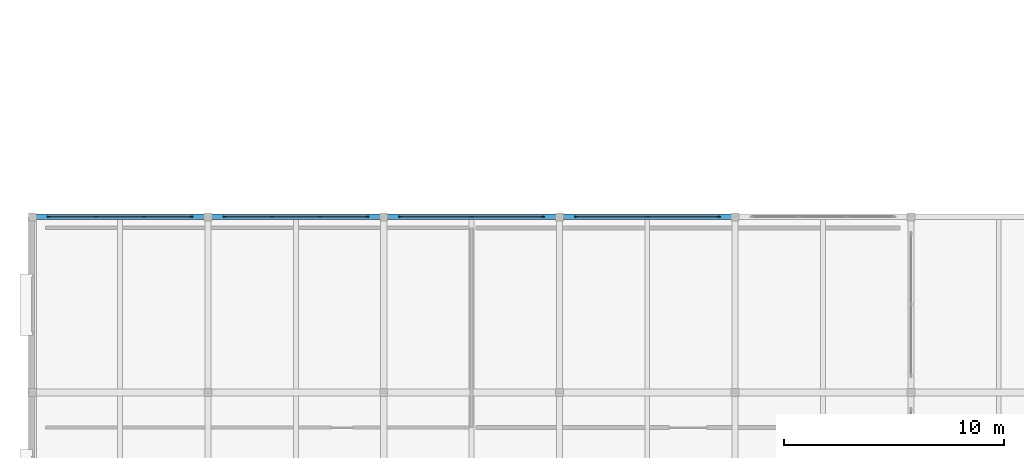
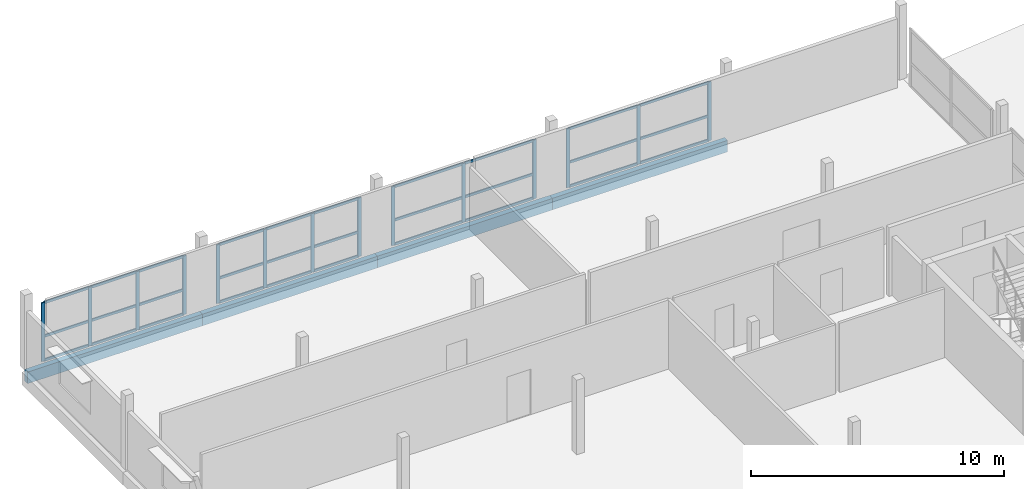
# One storey, part 8 of 25: 44 members, 4 beams, 4 elements without a shape of their own.
"""IFC4 building model written with IfcOpenShell, lengths in metres."""

from ifc_helpers import new_model, si_unit, direction, frame, origin, origin_2d, place, context, subcontext, project, spatial, rectangle, extrude, material, material_profile, profile_set, type_object, element, aggregate, save


model = new_model("IFC4")

# Units and contexts
model_context = context("Model", 3, precision=1e-05, world=origin(), true_north=direction((0.0, 1.0)))
body_context = subcontext(model_context, "Body", "Model", "MODEL_VIEW")
ifc_project = project(units=[si_unit("LENGTHUNIT", "METRE"), si_unit("AREAUNIT", "SQUARE_METRE"), si_unit("VOLUMEUNIT", "CUBIC_METRE"), si_unit("PLANEANGLEUNIT", "RADIAN"), si_unit("MASSUNIT", "GRAM", prefix="KILO")], contexts=[model_context])

# Site, building, storey
site_placement = place(None, origin())
site = spatial("IfcSite", under=ifc_project, at=site_placement, CompositionType="ELEMENT")
building_placement = place(site_placement, origin())
building = spatial("IfcBuilding", under=site, at=building_placement, Name="Vharandega Faculty of Natural Sciences", CompositionType="ELEMENT")
storey_placement = place(building_placement, frame((0.0, 0.0, 25.199951171875)))
storey = spatial("IfcBuildingStorey", under=building, at=storey_placement, Name="L06", CompositionType="ELEMENT", Elevation=25.199951171875)

# Curtain wall, members
ifc_material_1 = material(Name="Aluminium and solar-control glass curtain wall", Category="aluminium")
curtain_wall_type_1 = type_object("IfcCurtainWallType", Name="Unitised Curtain Wall System CW-25", PredefinedType="NOTDEFINED", material=ifc_material_1)
curtain_wall_1_placement = place(storey_placement, origin())
curtain_wall_1 = element("IfcCurtainWall", 1, at=curtain_wall_1_placement, inside=storey, type_object=curtain_wall_type_1, Name="Curtain Wall CW-L06-220", PredefinedType="NOTDEFINED")
ifc_material_2 = material(Name="Thermally broken aluminium 6063-T6", Category="aluminium")
ifc_material_profile_1 = material_profile(ifc_material_2, rectangle(XDim=0.06005859375, YDim=0.159912109375, at=origin_2d()), Name="ALU 60x160")
ifc_profile_set_1 = profile_set([ifc_material_profile_1], Name="Thermally broken aluminium 6063-T6")
member_type_1 = type_object("IfcMemberType", Name="CW Mullion 60x160", PredefinedType="MULLION", material=ifc_profile_set_1)
member_1_placement = place(storey_placement, frame((0.77001953125, 64.0, 0.0), z_axis=(0.0, 0.0, 1.0), x_axis=(0.0, 1.0, 0.0)))
member_1 = element("IfcMember", 2, at=member_1_placement, type_object=member_type_1, Name="CW-25 mullion 1", PredefinedType="MULLION", context=body_context, shape_type="SweptSolid", body=[
    extrude(rectangle(XDim=0.06005859375, YDim=0.159912109375, at=origin_2d()), origin(), (0.0, 0.0, 1.0), 2.840087890625),
])
member_2_placement = place(storey_placement, frame((2.913330078125, 64.0, 0.0), z_axis=(0.0, 0.0, 1.0), x_axis=(0.0, 1.0, 0.0)))
member_2 = element("IfcMember", 3, at=member_2_placement, type_object=member_type_1, Name="CW-25 mullion 2", PredefinedType="MULLION", context=body_context, shape_type="SweptSolid", body=[
    extrude(rectangle(XDim=0.06005859375, YDim=0.159912109375, at=origin_2d()), origin(), (0.0, 0.0, 1.0), 2.840087890625),
])
member_3_placement = place(storey_placement, frame((5.086669921875, 64.0, 0.0), z_axis=(0.0, 0.0, 1.0), x_axis=(0.0, 1.0, 0.0)))
member_3 = element("IfcMember", 4, at=member_3_placement, type_object=member_type_1, Name="CW-25 mullion 3", PredefinedType="MULLION", context=body_context, shape_type="SweptSolid", body=[
    extrude(rectangle(XDim=0.06005859375, YDim=0.159912109375, at=origin_2d()), origin(), (0.0, 0.0, 1.0), 2.840087890625),
])
member_4_placement = place(storey_placement, frame((7.22998046875, 64.0, 0.0), z_axis=(0.0, 0.0, 1.0), x_axis=(0.0, 1.0, 0.0)))
member_4 = element("IfcMember", 5, at=member_4_placement, type_object=member_type_1, Name="CW-25 mullion 4", PredefinedType="MULLION", context=body_context, shape_type="SweptSolid", body=[
    extrude(rectangle(XDim=0.06005859375, YDim=0.159912109375, at=origin_2d()), origin(), (0.0, 0.0, 1.0), 2.840087890625),
])

ifc_material_3 = material(Name="Aluminium and solar-control glass curtain wall", Category="aluminium")
curtain_wall_type_2 = type_object("IfcCurtainWallType", Name="Unitised Curtain Wall System CW-26", PredefinedType="NOTDEFINED", material=ifc_material_3)
curtain_wall_2_placement = place(storey_placement, origin())
curtain_wall_2 = element("IfcCurtainWall", 6, at=curtain_wall_2_placement, inside=storey, type_object=curtain_wall_type_2, Name="Curtain Wall CW-L06-221", PredefinedType="NOTDEFINED")
member_5_placement = place(storey_placement, frame((8.77001953125, 64.0, 0.0), z_axis=(0.0, 0.0, 1.0), x_axis=(0.0, 1.0, 0.0)))
member_5 = element("IfcMember", 7, at=member_5_placement, type_object=member_type_1, Name="CW-26 mullion 1", PredefinedType="MULLION", context=body_context, shape_type="SweptSolid", body=[
    extrude(rectangle(XDim=0.06005859375, YDim=0.159912109375, at=origin_2d()), origin(), (0.0, 0.0, 1.0), 2.840087890625),
])
member_6_placement = place(storey_placement, frame((10.913330078125, 64.0, 0.0), z_axis=(0.0, 0.0, 1.0), x_axis=(0.0, 1.0, 0.0)))
member_6 = element("IfcMember", 8, at=member_6_placement, type_object=member_type_1, Name="CW-26 mullion 2", PredefinedType="MULLION", context=body_context, shape_type="SweptSolid", body=[
    extrude(rectangle(XDim=0.06005859375, YDim=0.159912109375, at=origin_2d()), origin(), (0.0, 0.0, 1.0), 2.840087890625),
])
member_7_placement = place(storey_placement, frame((13.086669921875, 64.0, 0.0), z_axis=(0.0, 0.0, 1.0), x_axis=(0.0, 1.0, 0.0)))
member_7 = element("IfcMember", 9, at=member_7_placement, type_object=member_type_1, Name="CW-26 mullion 3", PredefinedType="MULLION", context=body_context, shape_type="SweptSolid", body=[
    extrude(rectangle(XDim=0.06005859375, YDim=0.159912109375, at=origin_2d()), origin(), (0.0, 0.0, 1.0), 2.840087890625),
])
member_8_placement = place(storey_placement, frame((15.22998046875, 64.0, 0.0), z_axis=(0.0, 0.0, 1.0), x_axis=(0.0, 1.0, 0.0)))
member_8 = element("IfcMember", 10, at=member_8_placement, type_object=member_type_1, Name="CW-26 mullion 4", PredefinedType="MULLION", context=body_context, shape_type="SweptSolid", body=[
    extrude(rectangle(XDim=0.06005859375, YDim=0.159912109375, at=origin_2d()), origin(), (0.0, 0.0, 1.0), 2.840087890625),
])

ifc_material_4 = material(Name="Aluminium and solar-control glass curtain wall", Category="aluminium")
curtain_wall_type_3 = type_object("IfcCurtainWallType", Name="Unitised Curtain Wall System CW-27", PredefinedType="NOTDEFINED", material=ifc_material_4)
curtain_wall_3_placement = place(storey_placement, origin())
curtain_wall_3 = element("IfcCurtainWall", 11, at=curtain_wall_3_placement, inside=storey, type_object=curtain_wall_type_3, Name="Curtain Wall CW-L06-222", PredefinedType="NOTDEFINED")
member_9_placement = place(storey_placement, frame((16.77001953125, 64.0, 0.0), z_axis=(0.0, 0.0, 1.0), x_axis=(0.0, 1.0, 0.0)))
member_9 = element("IfcMember", 12, at=member_9_placement, type_object=member_type_1, Name="CW-27 mullion 1", PredefinedType="MULLION", context=body_context, shape_type="SweptSolid", body=[
    extrude(rectangle(XDim=0.06005859375, YDim=0.159912109375, at=origin_2d()), origin(), (0.0, 0.0, 1.0), 2.840087890625),
])
member_10_placement = place(storey_placement, frame((20.0, 64.0, 0.0), z_axis=(0.0, 0.0, 1.0), x_axis=(0.0, 1.0, 0.0)))
member_10 = element("IfcMember", 13, at=member_10_placement, type_object=member_type_1, Name="CW-27 mullion 2", PredefinedType="MULLION", context=body_context, shape_type="SweptSolid", body=[
    extrude(rectangle(XDim=0.06005859375, YDim=0.159912109375, at=origin_2d()), origin(), (0.0, 0.0, 1.0), 2.840087890625),
])
member_11_placement = place(storey_placement, frame((23.22998046875, 64.0, 0.0), z_axis=(0.0, 0.0, 1.0), x_axis=(0.0, 1.0, 0.0)))
member_11 = element("IfcMember", 14, at=member_11_placement, type_object=member_type_1, Name="CW-27 mullion 3", PredefinedType="MULLION", context=body_context, shape_type="SweptSolid", body=[
    extrude(rectangle(XDim=0.06005859375, YDim=0.159912109375, at=origin_2d()), origin(), (0.0, 0.0, 1.0), 2.840087890625),
])

ifc_material_5 = material(Name="Aluminium and solar-control glass curtain wall", Category="aluminium")
curtain_wall_type_4 = type_object("IfcCurtainWallType", Name="Unitised Curtain Wall System CW-28", PredefinedType="NOTDEFINED", material=ifc_material_5)
curtain_wall_4_placement = place(storey_placement, origin())
curtain_wall_4 = element("IfcCurtainWall", 15, at=curtain_wall_4_placement, inside=storey, type_object=curtain_wall_type_4, Name="Curtain Wall CW-L06-223", PredefinedType="NOTDEFINED")
member_12_placement = place(storey_placement, frame((24.77001953125, 64.0, 0.0), z_axis=(0.0, 0.0, 1.0), x_axis=(0.0, 1.0, 0.0)))
member_12 = element("IfcMember", 16, at=member_12_placement, type_object=member_type_1, Name="CW-28 mullion 1", PredefinedType="MULLION", context=body_context, shape_type="SweptSolid", body=[
    extrude(rectangle(XDim=0.06005859375, YDim=0.159912109375, at=origin_2d()), origin(), (0.0, 0.0, 1.0), 2.840087890625),
])
member_13_placement = place(storey_placement, frame((28.0, 64.0, 0.0), z_axis=(0.0, 0.0, 1.0), x_axis=(0.0, 1.0, 0.0)))
member_13 = element("IfcMember", 17, at=member_13_placement, type_object=member_type_1, Name="CW-28 mullion 2", PredefinedType="MULLION", context=body_context, shape_type="SweptSolid", body=[
    extrude(rectangle(XDim=0.06005859375, YDim=0.159912109375, at=origin_2d()), origin(), (0.0, 0.0, 1.0), 2.840087890625),
])
member_14_placement = place(storey_placement, frame((31.22998046875, 64.0, 0.0), z_axis=(0.0, 0.0, 1.0), x_axis=(0.0, 1.0, 0.0)))
member_14 = element("IfcMember", 18, at=member_14_placement, type_object=member_type_1, Name="CW-28 mullion 3", PredefinedType="MULLION", context=body_context, shape_type="SweptSolid", body=[
    extrude(rectangle(XDim=0.06005859375, YDim=0.159912109375, at=origin_2d()), origin(), (0.0, 0.0, 1.0), 2.840087890625),
])

# Member
ifc_material_6 = material(Name="Thermally broken aluminium 6063-T6", Category="aluminium")
ifc_material_profile_2 = material_profile(ifc_material_6, rectangle(XDim=0.06005859375, YDim=0.1201171875, at=origin_2d()), Name="ALU 60x120")
ifc_profile_set_2 = profile_set([ifc_material_profile_2], Name="Thermally broken aluminium 6063-T6")
member_type_2 = type_object("IfcMemberType", Name="CW Transom 60x120", PredefinedType="USERDEFINED", material=ifc_profile_set_2)
member_15_placement = place(storey_placement, frame((0.800048828125, 64.0, 0.030029296875), z_axis=(1.0, 0.0, 0.0), x_axis=(0.0, 1.0, 0.0)))
member_15 = element("IfcMember", 19, at=member_15_placement, type_object=member_type_2, Name="CW-25 transom 1.1", ObjectType="TRANSOM", PredefinedType="USERDEFINED", context=body_context, shape_type="SweptSolid", body=[
    extrude(rectangle(XDim=0.06005859375, YDim=0.1201171875, at=origin_2d()), origin(), (0.0, 0.0, 1.0), 2.083251953125),
])

member_16_placement = place(storey_placement, frame((0.800048828125, 64.0, 1.19287109375), z_axis=(1.0, 0.0, 0.0), x_axis=(0.0, 1.0, 0.0)))
member_16 = element("IfcMember", 20, at=member_16_placement, type_object=member_type_2, Name="CW-25 transom 1.2", ObjectType="TRANSOM", PredefinedType="USERDEFINED", context=body_context, shape_type="SweptSolid", body=[
    extrude(rectangle(XDim=0.06005859375, YDim=0.1201171875, at=origin_2d()), origin(), (0.0, 0.0, 1.0), 2.083251953125),
])

member_17_placement = place(storey_placement, frame((0.800048828125, 64.0, 2.81005859375), z_axis=(1.0, 0.0, 0.0), x_axis=(0.0, 1.0, 0.0)))
member_17 = element("IfcMember", 21, at=member_17_placement, type_object=member_type_2, Name="CW-25 transom 1.3", ObjectType="TRANSOM", PredefinedType="USERDEFINED", context=body_context, shape_type="SweptSolid", body=[
    extrude(rectangle(XDim=0.06005859375, YDim=0.1201171875, at=origin_2d()), origin(), (0.0, 0.0, 1.0), 2.083251953125),
])

member_18_placement = place(storey_placement, frame((2.943359375, 64.0, 0.030029296875), z_axis=(1.0, 0.0, 0.0), x_axis=(0.0, 1.0, 0.0)))
member_18 = element("IfcMember", 22, at=member_18_placement, type_object=member_type_2, Name="CW-25 transom 2.1", ObjectType="TRANSOM", PredefinedType="USERDEFINED", context=body_context, shape_type="SweptSolid", body=[
    extrude(rectangle(XDim=0.06005859375, YDim=0.1201171875, at=origin_2d()), origin(), (0.0, 0.0, 1.0), 2.11328125),
])

member_19_placement = place(storey_placement, frame((2.943359375, 64.0, 1.19287109375), z_axis=(1.0, 0.0, 0.0), x_axis=(0.0, 1.0, 0.0)))
member_19 = element("IfcMember", 23, at=member_19_placement, type_object=member_type_2, Name="CW-25 transom 2.2", ObjectType="TRANSOM", PredefinedType="USERDEFINED", context=body_context, shape_type="SweptSolid", body=[
    extrude(rectangle(XDim=0.06005859375, YDim=0.1201171875, at=origin_2d()), origin(), (0.0, 0.0, 1.0), 2.11328125),
])

member_20_placement = place(storey_placement, frame((2.943359375, 64.0, 2.81005859375), z_axis=(1.0, 0.0, 0.0), x_axis=(0.0, 1.0, 0.0)))
member_20 = element("IfcMember", 24, at=member_20_placement, type_object=member_type_2, Name="CW-25 transom 2.3", ObjectType="TRANSOM", PredefinedType="USERDEFINED", context=body_context, shape_type="SweptSolid", body=[
    extrude(rectangle(XDim=0.06005859375, YDim=0.1201171875, at=origin_2d()), origin(), (0.0, 0.0, 1.0), 2.11328125),
])

member_21_placement = place(storey_placement, frame((5.11669921875, 64.0, 0.030029296875), z_axis=(1.0, 0.0, 0.0), x_axis=(0.0, 1.0, 0.0)))
member_21 = element("IfcMember", 25, at=member_21_placement, type_object=member_type_2, Name="CW-25 transom 3.1", ObjectType="TRANSOM", PredefinedType="USERDEFINED", context=body_context, shape_type="SweptSolid", body=[
    extrude(rectangle(XDim=0.06005859375, YDim=0.1201171875, at=origin_2d()), origin(), (0.0, 0.0, 1.0), 2.083251953125),
])

member_22_placement = place(storey_placement, frame((5.11669921875, 64.0, 1.19287109375), z_axis=(1.0, 0.0, 0.0), x_axis=(0.0, 1.0, 0.0)))
member_22 = element("IfcMember", 26, at=member_22_placement, type_object=member_type_2, Name="CW-25 transom 3.2", ObjectType="TRANSOM", PredefinedType="USERDEFINED", context=body_context, shape_type="SweptSolid", body=[
    extrude(rectangle(XDim=0.06005859375, YDim=0.1201171875, at=origin_2d()), origin(), (0.0, 0.0, 1.0), 2.083251953125),
])

member_23_placement = place(storey_placement, frame((5.11669921875, 64.0, 2.81005859375), z_axis=(1.0, 0.0, 0.0), x_axis=(0.0, 1.0, 0.0)))
member_23 = element("IfcMember", 27, at=member_23_placement, type_object=member_type_2, Name="CW-25 transom 3.3", ObjectType="TRANSOM", PredefinedType="USERDEFINED", context=body_context, shape_type="SweptSolid", body=[
    extrude(rectangle(XDim=0.06005859375, YDim=0.1201171875, at=origin_2d()), origin(), (0.0, 0.0, 1.0), 2.083251953125),
])

aggregate(curtain_wall_1, [member_1, member_2, member_3, member_4, member_15, member_16, member_17, member_18, member_19, member_20, member_21, member_22, member_23])

member_24_placement = place(storey_placement, frame((8.800048828125, 64.0, 0.030029296875), z_axis=(1.0, 0.0, 0.0), x_axis=(0.0, 1.0, 0.0)))
member_24 = element("IfcMember", 28, at=member_24_placement, type_object=member_type_2, Name="CW-26 transom 1.1", ObjectType="TRANSOM", PredefinedType="USERDEFINED", context=body_context, shape_type="SweptSolid", body=[
    extrude(rectangle(XDim=0.06005859375, YDim=0.1201171875, at=origin_2d()), origin(), (0.0, 0.0, 1.0), 2.083251953125),
])

member_25_placement = place(storey_placement, frame((8.800048828125, 64.0, 1.19287109375), z_axis=(1.0, 0.0, 0.0), x_axis=(0.0, 1.0, 0.0)))
member_25 = element("IfcMember", 29, at=member_25_placement, type_object=member_type_2, Name="CW-26 transom 1.2", ObjectType="TRANSOM", PredefinedType="USERDEFINED", context=body_context, shape_type="SweptSolid", body=[
    extrude(rectangle(XDim=0.06005859375, YDim=0.1201171875, at=origin_2d()), origin(), (0.0, 0.0, 1.0), 2.083251953125),
])

member_26_placement = place(storey_placement, frame((8.800048828125, 64.0, 2.81005859375), z_axis=(1.0, 0.0, 0.0), x_axis=(0.0, 1.0, 0.0)))
member_26 = element("IfcMember", 30, at=member_26_placement, type_object=member_type_2, Name="CW-26 transom 1.3", ObjectType="TRANSOM", PredefinedType="USERDEFINED", context=body_context, shape_type="SweptSolid", body=[
    extrude(rectangle(XDim=0.06005859375, YDim=0.1201171875, at=origin_2d()), origin(), (0.0, 0.0, 1.0), 2.083251953125),
])

member_27_placement = place(storey_placement, frame((10.943359375, 64.0, 0.030029296875), z_axis=(1.0, 0.0, 0.0), x_axis=(0.0, 1.0, 0.0)))
member_27 = element("IfcMember", 31, at=member_27_placement, type_object=member_type_2, Name="CW-26 transom 2.1", ObjectType="TRANSOM", PredefinedType="USERDEFINED", context=body_context, shape_type="SweptSolid", body=[
    extrude(rectangle(XDim=0.06005859375, YDim=0.1201171875, at=origin_2d()), origin(), (0.0, 0.0, 1.0), 2.11328125),
])

member_28_placement = place(storey_placement, frame((10.943359375, 64.0, 1.19287109375), z_axis=(1.0, 0.0, 0.0), x_axis=(0.0, 1.0, 0.0)))
member_28 = element("IfcMember", 32, at=member_28_placement, type_object=member_type_2, Name="CW-26 transom 2.2", ObjectType="TRANSOM", PredefinedType="USERDEFINED", context=body_context, shape_type="SweptSolid", body=[
    extrude(rectangle(XDim=0.06005859375, YDim=0.1201171875, at=origin_2d()), origin(), (0.0, 0.0, 1.0), 2.11328125),
])

member_29_placement = place(storey_placement, frame((10.943359375, 64.0, 2.81005859375), z_axis=(1.0, 0.0, 0.0), x_axis=(0.0, 1.0, 0.0)))
member_29 = element("IfcMember", 33, at=member_29_placement, type_object=member_type_2, Name="CW-26 transom 2.3", ObjectType="TRANSOM", PredefinedType="USERDEFINED", context=body_context, shape_type="SweptSolid", body=[
    extrude(rectangle(XDim=0.06005859375, YDim=0.1201171875, at=origin_2d()), origin(), (0.0, 0.0, 1.0), 2.11328125),
])

member_30_placement = place(storey_placement, frame((13.11669921875, 64.0, 0.030029296875), z_axis=(1.0, 0.0, 0.0), x_axis=(0.0, 1.0, 0.0)))
member_30 = element("IfcMember", 34, at=member_30_placement, type_object=member_type_2, Name="CW-26 transom 3.1", ObjectType="TRANSOM", PredefinedType="USERDEFINED", context=body_context, shape_type="SweptSolid", body=[
    extrude(rectangle(XDim=0.06005859375, YDim=0.1201171875, at=origin_2d()), origin(), (0.0, 0.0, 1.0), 2.083251953125),
])

member_31_placement = place(storey_placement, frame((13.11669921875, 64.0, 1.19287109375), z_axis=(1.0, 0.0, 0.0), x_axis=(0.0, 1.0, 0.0)))
member_31 = element("IfcMember", 35, at=member_31_placement, type_object=member_type_2, Name="CW-26 transom 3.2", ObjectType="TRANSOM", PredefinedType="USERDEFINED", context=body_context, shape_type="SweptSolid", body=[
    extrude(rectangle(XDim=0.06005859375, YDim=0.1201171875, at=origin_2d()), origin(), (0.0, 0.0, 1.0), 2.083251953125),
])

member_32_placement = place(storey_placement, frame((13.11669921875, 64.0, 2.81005859375), z_axis=(1.0, 0.0, 0.0), x_axis=(0.0, 1.0, 0.0)))
member_32 = element("IfcMember", 36, at=member_32_placement, type_object=member_type_2, Name="CW-26 transom 3.3", ObjectType="TRANSOM", PredefinedType="USERDEFINED", context=body_context, shape_type="SweptSolid", body=[
    extrude(rectangle(XDim=0.06005859375, YDim=0.1201171875, at=origin_2d()), origin(), (0.0, 0.0, 1.0), 2.083251953125),
])

aggregate(curtain_wall_2, [member_5, member_6, member_7, member_8, member_24, member_25, member_26, member_27, member_28, member_29, member_30, member_31, member_32])

member_33_placement = place(storey_placement, frame((16.800048828125, 64.0, 0.030029296875), z_axis=(1.0, 0.0, 0.0), x_axis=(0.0, 1.0, 0.0)))
member_33 = element("IfcMember", 37, at=member_33_placement, type_object=member_type_2, Name="CW-27 transom 1.1", ObjectType="TRANSOM", PredefinedType="USERDEFINED", context=body_context, shape_type="SweptSolid", body=[
    extrude(rectangle(XDim=0.06005859375, YDim=0.1201171875, at=origin_2d()), origin(), (0.0, 0.0, 1.0), 3.169921875),
])

member_34_placement = place(storey_placement, frame((16.800048828125, 64.0, 1.19287109375), z_axis=(1.0, 0.0, 0.0), x_axis=(0.0, 1.0, 0.0)))
member_34 = element("IfcMember", 38, at=member_34_placement, type_object=member_type_2, Name="CW-27 transom 1.2", ObjectType="TRANSOM", PredefinedType="USERDEFINED", context=body_context, shape_type="SweptSolid", body=[
    extrude(rectangle(XDim=0.06005859375, YDim=0.1201171875, at=origin_2d()), origin(), (0.0, 0.0, 1.0), 3.169921875),
])

member_35_placement = place(storey_placement, frame((16.800048828125, 64.0, 2.81005859375), z_axis=(1.0, 0.0, 0.0), x_axis=(0.0, 1.0, 0.0)))
member_35 = element("IfcMember", 39, at=member_35_placement, type_object=member_type_2, Name="CW-27 transom 1.3", ObjectType="TRANSOM", PredefinedType="USERDEFINED", context=body_context, shape_type="SweptSolid", body=[
    extrude(rectangle(XDim=0.06005859375, YDim=0.1201171875, at=origin_2d()), origin(), (0.0, 0.0, 1.0), 3.169921875),
])

member_36_placement = place(storey_placement, frame((20.030029296875, 64.0, 0.030029296875), z_axis=(1.0, 0.0, 0.0), x_axis=(0.0, 1.0, 0.0)))
member_36 = element("IfcMember", 40, at=member_36_placement, type_object=member_type_2, Name="CW-27 transom 2.1", ObjectType="TRANSOM", PredefinedType="USERDEFINED", context=body_context, shape_type="SweptSolid", body=[
    extrude(rectangle(XDim=0.06005859375, YDim=0.1201171875, at=origin_2d()), origin(), (0.0, 0.0, 1.0), 3.169921875),
])

member_37_placement = place(storey_placement, frame((20.030029296875, 64.0, 1.19287109375), z_axis=(1.0, 0.0, 0.0), x_axis=(0.0, 1.0, 0.0)))
member_37 = element("IfcMember", 41, at=member_37_placement, type_object=member_type_2, Name="CW-27 transom 2.2", ObjectType="TRANSOM", PredefinedType="USERDEFINED", context=body_context, shape_type="SweptSolid", body=[
    extrude(rectangle(XDim=0.06005859375, YDim=0.1201171875, at=origin_2d()), origin(), (0.0, 0.0, 1.0), 3.169921875),
])

member_38_placement = place(storey_placement, frame((20.030029296875, 64.0, 2.81005859375), z_axis=(1.0, 0.0, 0.0), x_axis=(0.0, 1.0, 0.0)))
member_38 = element("IfcMember", 42, at=member_38_placement, type_object=member_type_2, Name="CW-27 transom 2.3", ObjectType="TRANSOM", PredefinedType="USERDEFINED", context=body_context, shape_type="SweptSolid", body=[
    extrude(rectangle(XDim=0.06005859375, YDim=0.1201171875, at=origin_2d()), origin(), (0.0, 0.0, 1.0), 3.169921875),
])

aggregate(curtain_wall_3, [member_9, member_10, member_11, member_33, member_34, member_35, member_36, member_37, member_38])

member_39_placement = place(storey_placement, frame((24.800048828125, 64.0, 0.030029296875), z_axis=(1.0, 0.0, 0.0), x_axis=(0.0, 1.0, 0.0)))
member_39 = element("IfcMember", 43, at=member_39_placement, type_object=member_type_2, Name="CW-28 transom 1.1", ObjectType="TRANSOM", PredefinedType="USERDEFINED", context=body_context, shape_type="SweptSolid", body=[
    extrude(rectangle(XDim=0.06005859375, YDim=0.1201171875, at=origin_2d()), origin(), (0.0, 0.0, 1.0), 3.169921875),
])

member_40_placement = place(storey_placement, frame((24.800048828125, 64.0, 1.19287109375), z_axis=(1.0, 0.0, 0.0), x_axis=(0.0, 1.0, 0.0)))
member_40 = element("IfcMember", 44, at=member_40_placement, type_object=member_type_2, Name="CW-28 transom 1.2", ObjectType="TRANSOM", PredefinedType="USERDEFINED", context=body_context, shape_type="SweptSolid", body=[
    extrude(rectangle(XDim=0.06005859375, YDim=0.1201171875, at=origin_2d()), origin(), (0.0, 0.0, 1.0), 3.169921875),
])

member_41_placement = place(storey_placement, frame((24.800048828125, 64.0, 2.81005859375), z_axis=(1.0, 0.0, 0.0), x_axis=(0.0, 1.0, 0.0)))
member_41 = element("IfcMember", 45, at=member_41_placement, type_object=member_type_2, Name="CW-28 transom 1.3", ObjectType="TRANSOM", PredefinedType="USERDEFINED", context=body_context, shape_type="SweptSolid", body=[
    extrude(rectangle(XDim=0.06005859375, YDim=0.1201171875, at=origin_2d()), origin(), (0.0, 0.0, 1.0), 3.169921875),
])

member_42_placement = place(storey_placement, frame((28.030029296875, 64.0, 0.030029296875), z_axis=(1.0, 0.0, 0.0), x_axis=(0.0, 1.0, 0.0)))
member_42 = element("IfcMember", 46, at=member_42_placement, type_object=member_type_2, Name="CW-28 transom 2.1", ObjectType="TRANSOM", PredefinedType="USERDEFINED", context=body_context, shape_type="SweptSolid", body=[
    extrude(rectangle(XDim=0.06005859375, YDim=0.1201171875, at=origin_2d()), origin(), (0.0, 0.0, 1.0), 3.169921875),
])

member_43_placement = place(storey_placement, frame((28.030029296875, 64.0, 1.19287109375), z_axis=(1.0, 0.0, 0.0), x_axis=(0.0, 1.0, 0.0)))
member_43 = element("IfcMember", 47, at=member_43_placement, type_object=member_type_2, Name="CW-28 transom 2.2", ObjectType="TRANSOM", PredefinedType="USERDEFINED", context=body_context, shape_type="SweptSolid", body=[
    extrude(rectangle(XDim=0.06005859375, YDim=0.1201171875, at=origin_2d()), origin(), (0.0, 0.0, 1.0), 3.169921875),
])

member_44_placement = place(storey_placement, frame((28.030029296875, 64.0, 2.81005859375), z_axis=(1.0, 0.0, 0.0), x_axis=(0.0, 1.0, 0.0)))
member_44 = element("IfcMember", 48, at=member_44_placement, type_object=member_type_2, Name="CW-28 transom 2.3", ObjectType="TRANSOM", PredefinedType="USERDEFINED", context=body_context, shape_type="SweptSolid", body=[
    extrude(rectangle(XDim=0.06005859375, YDim=0.1201171875, at=origin_2d()), origin(), (0.0, 0.0, 1.0), 3.169921875),
])

aggregate(curtain_wall_4, [member_12, member_13, member_14, member_39, member_40, member_41, member_42, member_43, member_44])

# Beams
ifc_material_7 = material(Name="Glulam GL28h", Category="wood")
ifc_material_profile_3 = material_profile(ifc_material_7, rectangle(XDim=0.239990234375, YDim=0.56005859375, at=origin_2d()), Name="GL28h 240x560")
ifc_profile_set_3 = profile_set([ifc_material_profile_3], Name="Glulam GL28h")
beam_type = type_object("IfcBeamType", Name="Glulam Spandrel Edge Beam 240x560", PredefinedType="SPANDREL", material=ifc_profile_set_3)
for number, where, z_axis, x_axis, name in (
    (49, (0.0, 64.0, -0.47998046875), (1.0, 0.0, 0.0), (0.0, 1.0, 0.0), "Beam L06 J/1-2"),
    (50, (8.0, 64.0, -0.47998046875), (1.0, 0.0, 0.0), (0.0, 1.0, 0.0), "Beam L06 J/2-3"),
    (51, (16.0, 64.0, -0.47998046875), (1.0, 0.0, 0.0), (0.0, 1.0, 0.0), "Beam L06 J/3-4"),
    (52, (24.0, 64.0, -0.47998046875), (1.0, 0.0, 0.0), (0.0, 1.0, 0.0), "Beam L06 J/4-5"),
):
    element("IfcBeam", number, at=place(storey_placement, frame(where, z_axis=z_axis, x_axis=x_axis)), inside=storey, type_object=beam_type, Name=name, PredefinedType="SPANDREL", context=body_context, shape_type="SweptSolid", body=[
        extrude(rectangle(XDim=0.239990234375, YDim=0.56005859375, at=origin_2d()), origin(), (0.0, 0.0, 1.0), 8.0),
    ])

save(model, "model.ifc")
